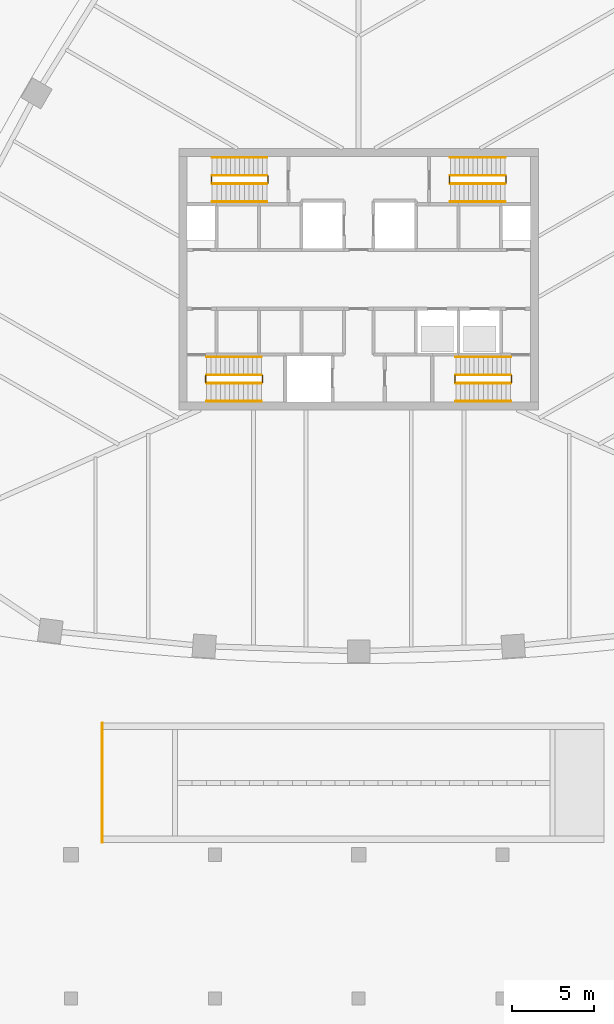
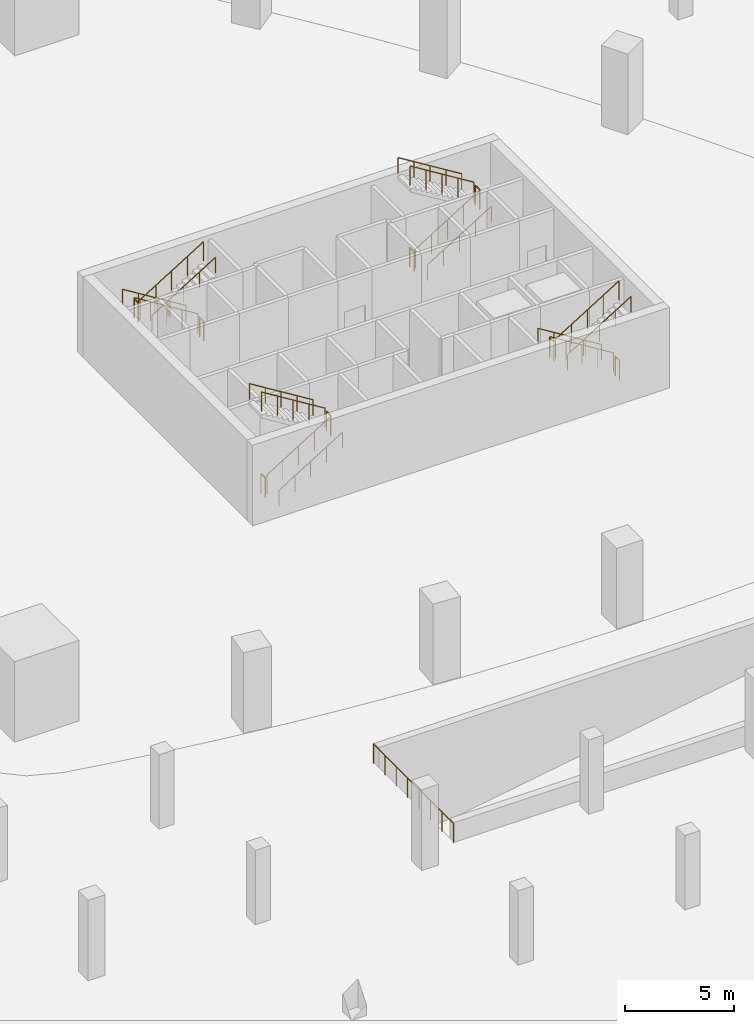
# One storey, part 9 of 10: 25 railings.
"""IFC4 building model written with IfcOpenShell, lengths in metres."""

import ifcopenshell
import ifcopenshell.guid

model = None  # the IFC model being written
_history = None  # IfcOwnerHistory: only IFC2X3 demands one
_inside = {}  # id of a spatial element -> (the spatial element, [elements in it])
_under = {}  # id of a project, library or spatial element -> (it, [spatial elements below it])
_declared = {}  # id of a project -> (the project, [libraries it declares])
_typed = {}  # id of a type object -> (the type object, [elements of that type])
_made_of = {}  # id of a material, layer set ... -> (it, [elements and type objects made of it])


def new_model(schema):
    """Start an empty IFC model of exactly this schema.

    Asked for "IFC4X3", IfcOpenShell would pick the latest addendum, in which some entities
    have other attributes; the version numbers below select the first issue.
    IFC2X3 requires an IfcOwnerHistory on every rooted entity: one is made here for all.
    """
    global model, _history
    if schema == "IFC4X3":
        model = ifcopenshell.file(schema_version=(4, 3, 0, 0))
    else:
        model = ifcopenshell.file(schema=schema)
    _inside.clear()
    _under.clear()
    _declared.clear()
    _typed.clear()
    _made_of.clear()
    _history = None
    if model.schema == "IFC2X3":
        org = make("IfcOrganization", Name="unknown")
        user = make(
            "IfcPersonAndOrganization",
            ThePerson=make("IfcPerson", FamilyName="unknown"),
            TheOrganization=org,
        )
        app = make(
            "IfcApplication",
            ApplicationDeveloper=org,
            Version="unknown",
            ApplicationFullName="unknown",
            ApplicationIdentifier="unknown",
        )
        _history = make(
            "IfcOwnerHistory",
            OwningUser=user,
            OwningApplication=app,
            ChangeAction="ADDED",
            CreationDate=0,
        )
    return model


def make(cls, **values):
    """One entity of the class cls with the attributes given. An attribute that is None is left unset."""
    return model.create_entity(
        cls, **{name: value for name, value in values.items() if value is not None}
    )


def rooted(cls, **values):
    """An entity with a GlobalId (a new one), such as an element, a storey or a relation."""
    return make(cls, GlobalId=ifcopenshell.guid.new(), OwnerHistory=_history, **values)


def si_unit(unit_type, name, prefix=None):
    """IfcSIUnit, for example si_unit("LENGTHUNIT", "METRE", prefix="MILLI")."""
    return make("IfcSIUnit", UnitType=unit_type, Prefix=prefix, Name=name)


def assignment(units):
    """IfcUnitAssignment: the units of a project."""
    return None if units is None else make("IfcUnitAssignment", Units=units)


def point(xyz):
    """IfcCartesianPoint."""
    return None if xyz is None else make("IfcCartesianPoint", Coordinates=xyz)


def direction(xyz):
    """IfcDirection."""
    return None if xyz is None else make("IfcDirection", DirectionRatios=xyz)


def frame(location, z_axis=None, x_axis=None):
    """IfcAxis2Placement3D, a coordinate frame: its origin and axes. An axis left out is left unset."""
    return make(
        "IfcAxis2Placement3D",
        Location=point(location),
        Axis=direction(z_axis),
        RefDirection=direction(x_axis),
    )


def frame_2d(location, x_axis=None):
    """IfcAxis2Placement2D, a coordinate frame in the plane: its origin and x axis."""
    return make(
        "IfcAxis2Placement2D", Location=point(location), RefDirection=direction(x_axis)
    )


def origin():
    """The frame at (0, 0, 0) with its axes left unset."""
    return frame((0.0, 0.0, 0.0))


def origin_2d():
    """The frame at (0, 0) in the plane with its x axis left unset."""
    return frame_2d((0.0, 0.0))


def place(relative_to, where):
    """IfcLocalPlacement: puts the frame where relative to a parent placement (None: the world)."""
    return make(
        "IfcLocalPlacement", PlacementRelTo=relative_to, RelativePlacement=where
    )


def context(
    kind, dimensions, precision=None, world=None, true_north=None, identifier=None
):
    """IfcGeometricRepresentationContext, for example the 3D "Model" context."""
    return make(
        "IfcGeometricRepresentationContext",
        ContextIdentifier=identifier,
        ContextType=kind,
        CoordinateSpaceDimension=dimensions,
        Precision=precision,
        WorldCoordinateSystem=world,
        TrueNorth=true_north,
    )


def subcontext(parent, identifier, kind, view, scale=None):
    """IfcGeometricRepresentationSubContext, for example "Body" below "Model"."""
    return make(
        "IfcGeometricRepresentationSubContext",
        ContextIdentifier=identifier,
        ContextType=kind,
        ParentContext=parent,
        TargetScale=scale,
        TargetView=view,
    )


def project(units=None, contexts=None):
    """IfcProject with its units and contexts."""
    return rooted(
        "IfcProject",
        Name="project",
        RepresentationContexts=contexts,
        UnitsInContext=assignment(units),
    )


def spatial(cls, under=None, at=None, **own):
    """A site, building, storey or space (cls), placed at a placement, below another one or the project."""
    s = rooted(cls, ObjectPlacement=at, **own)
    if under is not None:
        _under.setdefault(under.id(), (under, []))[1].append(s)
    return s


def profile(cls, at=None, kind="AREA", **sizes):
    """A parametric profile (cls). Its sizes go by their IFC names, for example OverallWidth=200.0."""
    return make(cls, ProfileType=kind, Position=at, **sizes)


def circle(**sizes):
    """IfcCircleProfileDef."""
    return profile("IfcCircleProfileDef", **sizes)


def extrude(swept, where, along, depth):
    """IfcExtrudedAreaSolid: the profile swept, set in the frame where, extruded along a direction by depth."""
    return make(
        "IfcExtrudedAreaSolid",
        SweptArea=swept,
        Position=where,
        ExtrudedDirection=direction(along),
        Depth=depth,
    )


def shape(context_of_items, identifier, shape_type, items):
    """IfcShapeRepresentation: the items that make up one representation, for example the "Body"."""
    return make(
        "IfcShapeRepresentation",
        ContextOfItems=context_of_items,
        RepresentationIdentifier=identifier,
        RepresentationType=shape_type,
        Items=items,
    )


def material(Name=None, Category=None):
    """IfcMaterial."""
    return make("IfcMaterial", Name=Name, Category=Category)


def made_of(thing, what):
    """Note that an element or type object is made of a material, layer set ...; save() writes the relation."""
    if what is not None:
        _made_of.setdefault(what.id(), (what, []))[1].append(thing)
    return thing


def type_object(cls, material=None, **own):
    """A type object (cls), such as IfcWallType, which elements share."""
    return made_of(rooted(cls, **own), material)


def element(
    cls,
    number,
    at=None,
    inside=None,
    cuts=None,
    type_object=None,
    material=None,
    context=None,
    identifier="Body",
    shape_type=None,
    held_by="IfcProductDefinitionShape",
    body=None,
    shapes=None,
    **own,
):
    """One element of the class cls, such as IfcWall. Its Tag is "e" and its number.

    at: its placement. inside: the storey or other place that contains it. cuts: it is an
    opening in that element (IfcRelVoidsElement). A single representation is given by context,
    identifier, shape_type and body (its items); several are given by shapes. held_by: the class
    of the entity that holds the representations. save() writes the other relations.
    """
    e = rooted(cls, Tag="e%d" % number, ObjectPlacement=at, **own)
    if body is not None:
        shapes = [shape(context, identifier, shape_type, body)]
    if shapes is not None:
        e.Representation = make(held_by, Representations=shapes)
    if inside is not None:
        _inside.setdefault(inside.id(), (inside, []))[1].append(e)
    if cuts is not None:
        rooted(
            "IfcRelVoidsElement", RelatingBuildingElement=cuts, RelatedOpeningElement=e
        )
    if type_object is not None:
        _typed.setdefault(type_object.id(), (type_object, []))[1].append(e)
    return made_of(e, material)


def aggregate(whole, parts):
    """IfcRelAggregates: a whole, such as a stair, and the parts it consists of."""
    return rooted("IfcRelAggregates", RelatingObject=whole, RelatedObjects=parts)


def save(model, path):
    """Write the relations noted so far, then the file.

    IfcRelAggregates (storeys below a building ...), IfcRelContainedInSpatialStructure (elements
    in a storey), IfcRelDefinesByType, IfcRelAssociatesMaterial and IfcRelDeclares: one each for
    every whole, place, type object, material and project.
    """
    for whole, parts in _under.values():
        aggregate(whole, parts)
    for where, things in _inside.values():
        rooted(
            "IfcRelContainedInSpatialStructure",
            RelatedElements=things,
            RelatingStructure=where,
        )
    for kind, things in _typed.values():
        rooted("IfcRelDefinesByType", RelatedObjects=things, RelatingType=kind)
    for what, things in _made_of.values():
        rooted("IfcRelAssociatesMaterial", RelatedObjects=things, RelatingMaterial=what)
    for by, libraries in _declared.values():
        rooted("IfcRelDeclares", RelatingContext=by, RelatedDefinitions=libraries)
    model.write(path)


model = new_model("IFC4")

# Units and contexts
model_context = context("Model", 3, precision=1e-05, world=origin(), true_north=direction((0.0, 1.0)))
body_context = subcontext(model_context, "Body", "Model", "MODEL_VIEW")
ifc_project = project(units=[si_unit("LENGTHUNIT", "METRE"), si_unit("AREAUNIT", "SQUARE_METRE"), si_unit("VOLUMEUNIT", "CUBIC_METRE"), si_unit("PLANEANGLEUNIT", "RADIAN"), si_unit("MASSUNIT", "GRAM", prefix="KILO")], contexts=[model_context])

# Site, building, storey
site_placement = place(None, origin())
site = spatial("IfcSite", under=ifc_project, at=site_placement, CompositionType="ELEMENT")
building_placement = place(site_placement, origin())
building = spatial("IfcBuilding", under=site, at=building_placement, Name="Sierra Prisma Convention Tower", CompositionType="ELEMENT")
storey_placement = place(building_placement, frame((0.0, 0.0, -4.5)))
storey = spatial("IfcBuildingStorey", under=building, at=storey_placement, Name="B1", CompositionType="ELEMENT", Elevation=-4.5)

# Railings
ifc_material_1 = material(Name="Stainless steel", Category="steel")
railing_type_1 = type_object("IfcRailingType", Name="Exit stair handrail", PredefinedType="HANDRAIL", material=ifc_material_1)
railing_1_placement = place(storey_placement, frame((-9.300048828125, -7.449951171875, 0.173095703125)))
element("IfcRailing", 1, at=railing_1_placement, inside=storey, type_object=railing_type_1, Name="B1 S1 stair handrail 1", PredefinedType="HANDRAIL", context=body_context, shape_type="SweptSolid", body=[
    extrude(circle(Radius=0.02392578125, at=origin_2d()), frame((0.0, 0.0, 0.8759765625), z_axis=(0.850623216509, 0.0, 0.525775754039), x_axis=(0.0, 1.0, 0.0)), (0.0, 0.0, 1.0), 3.9501953125),
    extrude(circle(Radius=0.02099609375, at=origin_2d()), origin(), (0.0, 0.0, 1.0), 0.851806640625),
    extrude(circle(Radius=0.02099609375, at=origin_2d()), frame((0.840087890625, 0.0, 0.519287109375)), (0.0, 0.0, 1.0), 0.851806640625),
    extrude(circle(Radius=0.02099609375, at=origin_2d()), frame((1.68017578125, 0.0, 1.03857421875)), (0.0, 0.0, 1.0), 0.851806640625),
    extrude(circle(Radius=0.02099609375, at=origin_2d()), frame((2.52001953125, 0.0, 1.5576171875)), (0.0, 0.0, 1.0), 0.851806640625),
    extrude(circle(Radius=0.02099609375, at=origin_2d()), frame((3.360107421875, 0.0, 2.076904296875)), (0.0, 0.0, 1.0), 0.851806640625),
])
for number, where, name in (
    (2, (-5.93994140625, -4.75, 2.423095703125), "B1 S1 stair handrail 2"),
    (3, (9.300048828125, -4.75, 0.173095703125), "B1 S2 stair handrail 1"),
):
    element("IfcRailing", number, at=place(storey_placement, frame(where)), inside=storey, type_object=railing_type_1, Name=name, PredefinedType="HANDRAIL", context=body_context, shape_type="SweptSolid", body=[
        extrude(circle(Radius=0.02392578125, at=origin_2d()), frame((0.0, 0.0, 0.8759765625), z_axis=(-0.850623216509, 0.0, 0.525775754039), x_axis=(0.0, -1.0, 0.0)), (0.0, 0.0, 1.0), 3.9501953125),
        extrude(circle(Radius=0.02099609375, at=origin_2d()), origin(), (0.0, 0.0, 1.0), 0.851806640625),
        extrude(circle(Radius=0.02099609375, at=origin_2d()), frame((-0.840087890625, 0.0, 0.519287109375)), (0.0, 0.0, 1.0), 0.851806640625),
        extrude(circle(Radius=0.02099609375, at=origin_2d()), frame((-1.68017578125, 0.0, 1.03857421875)), (0.0, 0.0, 1.0), 0.851806640625),
        extrude(circle(Radius=0.02099609375, at=origin_2d()), frame((-2.52001953125, 0.0, 1.5576171875)), (0.0, 0.0, 1.0), 0.851806640625),
        extrude(circle(Radius=0.02099609375, at=origin_2d()), frame((-3.360107421875, 0.0, 2.076904296875)), (0.0, 0.0, 1.0), 0.851806640625),
    ])
railing_2_placement = place(storey_placement, frame((5.93994140625, -7.449951171875, 2.423095703125)))
element("IfcRailing", 4, at=railing_2_placement, inside=storey, type_object=railing_type_1, Name="B1 S2 stair handrail 2", PredefinedType="HANDRAIL", context=body_context, shape_type="SweptSolid", body=[
    extrude(circle(Radius=0.02392578125, at=origin_2d()), frame((0.0, 0.0, 0.8759765625), z_axis=(0.850623216509, 0.0, 0.525775754039), x_axis=(0.0, 1.0, 0.0)), (0.0, 0.0, 1.0), 3.9501953125),
    extrude(circle(Radius=0.02099609375, at=origin_2d()), origin(), (0.0, 0.0, 1.0), 0.851806640625),
    extrude(circle(Radius=0.02099609375, at=origin_2d()), frame((0.840087890625, 0.0, 0.519287109375)), (0.0, 0.0, 1.0), 0.851806640625),
    extrude(circle(Radius=0.02099609375, at=origin_2d()), frame((1.68017578125, 0.0, 1.03857421875)), (0.0, 0.0, 1.0), 0.851806640625),
    extrude(circle(Radius=0.02099609375, at=origin_2d()), frame((2.52001953125, 0.0, 1.5576171875)), (0.0, 0.0, 1.0), 0.851806640625),
    extrude(circle(Radius=0.02099609375, at=origin_2d()), frame((3.360107421875, 0.0, 2.076904296875)), (0.0, 0.0, 1.0), 0.851806640625),
])
railing_3_placement = place(storey_placement, frame((-5.60009765625, 7.449951171875, 0.173095703125)))
element("IfcRailing", 5, at=railing_3_placement, inside=storey, type_object=railing_type_1, Name="B1 S3 stair handrail 1", PredefinedType="HANDRAIL", context=body_context, shape_type="SweptSolid", body=[
    extrude(circle(Radius=0.02392578125, at=origin_2d()), frame((0.0, 0.0, 0.8759765625), z_axis=(-0.850606129759, 0.0, 0.525803396734), x_axis=(0.0, -1.0, 0.0)), (0.0, 0.0, 1.0), 3.949951171875),
    extrude(circle(Radius=0.02099609375, at=origin_2d()), origin(), (0.0, 0.0, 1.0), 0.851806640625),
    extrude(circle(Radius=0.02099609375, at=origin_2d()), frame((-0.83984375, 0.0, 0.519287109375)), (0.0, 0.0, 1.0), 0.851806640625),
    extrude(circle(Radius=0.02099609375, at=origin_2d()), frame((-1.679931640625, 0.0, 1.03857421875)), (0.0, 0.0, 1.0), 0.851806640625),
    extrude(circle(Radius=0.02099609375, at=origin_2d()), frame((-2.52001953125, 0.0, 1.5576171875)), (0.0, 0.0, 1.0), 0.851806640625),
    extrude(circle(Radius=0.02099609375, at=origin_2d()), frame((-3.35986328125, 0.0, 2.076904296875)), (0.0, 0.0, 1.0), 0.851806640625),
])
for number, where, name in (
    (6, (-8.9599609375, 4.75, 2.423095703125), "B1 S3 stair handrail 2"),
    (7, (5.60009765625, 4.75, 0.173095703125), "B1 S4 stair handrail 1"),
):
    element("IfcRailing", number, at=place(storey_placement, frame(where)), inside=storey, type_object=railing_type_1, Name=name, PredefinedType="HANDRAIL", context=body_context, shape_type="SweptSolid", body=[
        extrude(circle(Radius=0.02392578125, at=origin_2d()), frame((0.0, 0.0, 0.8759765625), z_axis=(0.850606129759, 0.0, 0.525803396734), x_axis=(0.0, 1.0, 0.0)), (0.0, 0.0, 1.0), 3.949951171875),
        extrude(circle(Radius=0.02099609375, at=origin_2d()), origin(), (0.0, 0.0, 1.0), 0.851806640625),
        extrude(circle(Radius=0.02099609375, at=origin_2d()), frame((0.83984375, 0.0, 0.519287109375)), (0.0, 0.0, 1.0), 0.851806640625),
        extrude(circle(Radius=0.02099609375, at=origin_2d()), frame((1.679931640625, 0.0, 1.03857421875)), (0.0, 0.0, 1.0), 0.851806640625),
        extrude(circle(Radius=0.02099609375, at=origin_2d()), frame((2.52001953125, 0.0, 1.5576171875)), (0.0, 0.0, 1.0), 0.851806640625),
        extrude(circle(Radius=0.02099609375, at=origin_2d()), frame((3.35986328125, 0.0, 2.076904296875)), (0.0, 0.0, 1.0), 0.851806640625),
    ])
railing_4_placement = place(storey_placement, frame((8.9599609375, 7.449951171875, 2.423095703125)))
element("IfcRailing", 8, at=railing_4_placement, inside=storey, type_object=railing_type_1, Name="B1 S4 stair handrail 2", PredefinedType="HANDRAIL", context=body_context, shape_type="SweptSolid", body=[
    extrude(circle(Radius=0.02392578125, at=origin_2d()), frame((0.0, 0.0, 0.8759765625), z_axis=(-0.850606129759, 0.0, 0.525803396734), x_axis=(0.0, -1.0, 0.0)), (0.0, 0.0, 1.0), 3.949951171875),
    extrude(circle(Radius=0.02099609375, at=origin_2d()), origin(), (0.0, 0.0, 1.0), 0.851806640625),
    extrude(circle(Radius=0.02099609375, at=origin_2d()), frame((-0.83984375, 0.0, 0.519287109375)), (0.0, 0.0, 1.0), 0.851806640625),
    extrude(circle(Radius=0.02099609375, at=origin_2d()), frame((-1.679931640625, 0.0, 1.03857421875)), (0.0, 0.0, 1.0), 0.851806640625),
    extrude(circle(Radius=0.02099609375, at=origin_2d()), frame((-2.52001953125, 0.0, 1.5576171875)), (0.0, 0.0, 1.0), 0.851806640625),
    extrude(circle(Radius=0.02099609375, at=origin_2d()), frame((-3.35986328125, 0.0, 2.076904296875)), (0.0, 0.0, 1.0), 0.851806640625),
])
ifc_material_2 = material(Name="Powder-coated steel", Category="steel")
railing_type_2 = type_object("IfcRailingType", Name="Ramp hole guard 1100", PredefinedType="GUARDRAIL", material=ifc_material_2)
railing_5_placement = place(storey_placement, frame((-15.678955078125, -34.449951171875, 0.0)))
element("IfcRailing", 9, at=railing_5_placement, inside=storey, type_object=railing_type_2, Name="Car park ramp R3 hole guard", PredefinedType="GUARDRAIL", context=body_context, shape_type="SweptSolid", body=[
    extrude(circle(Radius=0.02392578125, at=origin_2d()), frame((0.0, 0.0, 1.076171875), z_axis=(0.0, 1.0, 0.0), x_axis=(-1.0, 0.0, 0.0)), (0.0, 0.0, 1.0), 7.300048828125),
    extrude(circle(Radius=0.02099609375, at=origin_2d()), origin(), (0.0, 0.0, 1.0), 1.052001953125),
    extrude(circle(Radius=0.02099609375, at=origin_2d()), frame((0.0, 1.04296875, 0.0)), (0.0, 0.0, 1.0), 1.052001953125),
    extrude(circle(Radius=0.02099609375, at=origin_2d()), frame((0.0, 2.085693359375, 0.0)), (0.0, 0.0, 1.0), 1.052001953125),
    extrude(circle(Radius=0.02099609375, at=origin_2d()), frame((0.0, 3.128662109375, 0.0)), (0.0, 0.0, 1.0), 1.052001953125),
    extrude(circle(Radius=0.02099609375, at=origin_2d()), frame((0.0, 4.17138671875, 0.0)), (0.0, 0.0, 1.0), 1.052001953125),
    extrude(circle(Radius=0.02099609375, at=origin_2d()), frame((0.0, 5.21435546875, 0.0)), (0.0, 0.0, 1.0), 1.052001953125),
    extrude(circle(Radius=0.02099609375, at=origin_2d()), frame((0.0, 6.257080078125, 0.0)), (0.0, 0.0, 1.0), 1.052001953125),
    extrude(circle(Radius=0.02099609375, at=origin_2d()), frame((0.0, 7.300048828125, 0.0)), (0.0, 0.0, 1.0), 1.052001953125),
])
ifc_material_3 = material(Name="Stainless steel", Category="steel")
railing_type_3 = type_object("IfcRailingType", Name="Stair guard 1100", PredefinedType="GUARDRAIL", material=ifc_material_3)
railing_6_placement = place(storey_placement, frame((-9.300048828125, -6.35009765625, 0.173095703125)))
element("IfcRailing", 10, at=railing_6_placement, inside=storey, type_object=railing_type_3, Name="B1 S1 stair guard 1", PredefinedType="GUARDRAIL", context=body_context, shape_type="SweptSolid", body=[
    extrude(circle(Radius=0.02392578125, at=origin_2d()), frame((0.0, 0.0, 1.076171875), z_axis=(0.850623216509, 0.0, 0.525775754039), x_axis=(0.0, 1.0, 0.0)), (0.0, 0.0, 1.0), 3.9501953125),
    extrude(circle(Radius=0.02099609375, at=origin_2d()), origin(), (0.0, 0.0, 1.0), 1.052001953125),
    extrude(circle(Radius=0.02099609375, at=origin_2d()), frame((0.840087890625, 0.0, 0.519287109375)), (0.0, 0.0, 1.0), 1.052001953125),
    extrude(circle(Radius=0.02099609375, at=origin_2d()), frame((1.68017578125, 0.0, 1.03857421875)), (0.0, 0.0, 1.0), 1.052001953125),
    extrude(circle(Radius=0.02099609375, at=origin_2d()), frame((2.52001953125, 0.0, 1.5576171875)), (0.0, 0.0, 1.0), 1.052001953125),
    extrude(circle(Radius=0.02099609375, at=origin_2d()), frame((3.360107421875, 0.0, 2.076904296875)), (0.0, 0.0, 1.0), 1.052001953125),
])
railing_7_placement = place(storey_placement, frame((-5.889892578125, -6.300048828125, 2.25)))
element("IfcRailing", 11, at=railing_7_placement, inside=storey, type_object=railing_type_3, Name="B1 S1 stair guard 2", PredefinedType="GUARDRAIL", context=body_context, shape_type="SweptSolid", body=[
    extrude(circle(Radius=0.02392578125, at=origin_2d()), frame((0.0, 0.0, 1.076171875), z_axis=(0.0, 1.0, 0.0), x_axis=(-1.0, 0.0, 0.0)), (0.0, 0.0, 1.0), 0.400146484375),
    extrude(circle(Radius=0.02099609375, at=origin_2d()), origin(), (0.0, 0.0, 1.0), 1.052001953125),
    extrude(circle(Radius=0.02099609375, at=origin_2d()), frame((0.0, 0.400146484375, 0.0)), (0.0, 0.0, 1.0), 1.052001953125),
])
railing_8_placement = place(storey_placement, frame((-5.93994140625, -5.85009765625, 2.423095703125)))
element("IfcRailing", 12, at=railing_8_placement, inside=storey, type_object=railing_type_3, Name="B1 S1 stair guard 3", PredefinedType="GUARDRAIL", context=body_context, shape_type="SweptSolid", body=[
    extrude(circle(Radius=0.02392578125, at=origin_2d()), frame((0.0, 0.0, 1.076171875), z_axis=(-0.850623216509, 0.0, 0.525775754039), x_axis=(0.0, -1.0, 0.0)), (0.0, 0.0, 1.0), 3.9501953125),
    extrude(circle(Radius=0.02099609375, at=origin_2d()), origin(), (0.0, 0.0, 1.0), 1.052001953125),
    extrude(circle(Radius=0.02099609375, at=origin_2d()), frame((-0.840087890625, 0.0, 0.519287109375)), (0.0, 0.0, 1.0), 1.052001953125),
    extrude(circle(Radius=0.02099609375, at=origin_2d()), frame((-1.68017578125, 0.0, 1.03857421875)), (0.0, 0.0, 1.0), 1.052001953125),
    extrude(circle(Radius=0.02099609375, at=origin_2d()), frame((-2.52001953125, 0.0, 1.5576171875)), (0.0, 0.0, 1.0), 1.052001953125),
    extrude(circle(Radius=0.02099609375, at=origin_2d()), frame((-3.360107421875, 0.0, 2.076904296875)), (0.0, 0.0, 1.0), 1.052001953125),
])
railing_9_placement = place(storey_placement, frame((-9.35009765625, -6.300048828125, 0.0)))
element("IfcRailing", 13, at=railing_9_placement, inside=storey, type_object=railing_type_3, Name="B1 S1 stair guard 4", PredefinedType="GUARDRAIL", context=body_context, shape_type="SweptSolid", body=[
    extrude(circle(Radius=0.02392578125, at=origin_2d()), frame((0.0, 0.0, 1.076171875), z_axis=(0.0, 1.0, 0.0), x_axis=(-1.0, 0.0, 0.0)), (0.0, 0.0, 1.0), 0.400146484375),
    extrude(circle(Radius=0.02099609375, at=origin_2d()), origin(), (0.0, 0.0, 1.0), 1.052001953125),
    extrude(circle(Radius=0.02099609375, at=origin_2d()), frame((0.0, 0.400146484375, 0.0)), (0.0, 0.0, 1.0), 1.052001953125),
])
railing_10_placement = place(storey_placement, frame((9.300048828125, -5.85009765625, 0.173095703125)))
element("IfcRailing", 14, at=railing_10_placement, inside=storey, type_object=railing_type_3, Name="B1 S2 stair guard 1", PredefinedType="GUARDRAIL", context=body_context, shape_type="SweptSolid", body=[
    extrude(circle(Radius=0.02392578125, at=origin_2d()), frame((0.0, 0.0, 1.076171875), z_axis=(-0.850623216509, 0.0, 0.525775754039), x_axis=(0.0, -1.0, 0.0)), (0.0, 0.0, 1.0), 3.9501953125),
    extrude(circle(Radius=0.02099609375, at=origin_2d()), origin(), (0.0, 0.0, 1.0), 1.052001953125),
    extrude(circle(Radius=0.02099609375, at=origin_2d()), frame((-0.840087890625, 0.0, 0.519287109375)), (0.0, 0.0, 1.0), 1.052001953125),
    extrude(circle(Radius=0.02099609375, at=origin_2d()), frame((-1.68017578125, 0.0, 1.03857421875)), (0.0, 0.0, 1.0), 1.052001953125),
    extrude(circle(Radius=0.02099609375, at=origin_2d()), frame((-2.52001953125, 0.0, 1.5576171875)), (0.0, 0.0, 1.0), 1.052001953125),
    extrude(circle(Radius=0.02099609375, at=origin_2d()), frame((-3.360107421875, 0.0, 2.076904296875)), (0.0, 0.0, 1.0), 1.052001953125),
])
railing_11_placement = place(storey_placement, frame((5.889892578125, -5.89990234375, 2.25)))
element("IfcRailing", 15, at=railing_11_placement, inside=storey, type_object=railing_type_3, Name="B1 S2 stair guard 2", PredefinedType="GUARDRAIL", context=body_context, shape_type="SweptSolid", body=[
    extrude(circle(Radius=0.02392578125, at=origin_2d()), frame((0.0, 0.0, 1.076171875), z_axis=(0.0, -1.0, 0.0), x_axis=(1.0, 0.0, 0.0)), (0.0, 0.0, 1.0), 0.400146484375),
    extrude(circle(Radius=0.02099609375, at=origin_2d()), origin(), (0.0, 0.0, 1.0), 1.052001953125),
    extrude(circle(Radius=0.02099609375, at=origin_2d()), frame((0.0, -0.400146484375, 0.0)), (0.0, 0.0, 1.0), 1.052001953125),
])
railing_12_placement = place(storey_placement, frame((5.93994140625, -6.35009765625, 2.423095703125)))
element("IfcRailing", 16, at=railing_12_placement, inside=storey, type_object=railing_type_3, Name="B1 S2 stair guard 3", PredefinedType="GUARDRAIL", context=body_context, shape_type="SweptSolid", body=[
    extrude(circle(Radius=0.02392578125, at=origin_2d()), frame((0.0, 0.0, 1.076171875), z_axis=(0.850623216509, 0.0, 0.525775754039), x_axis=(0.0, 1.0, 0.0)), (0.0, 0.0, 1.0), 3.9501953125),
    extrude(circle(Radius=0.02099609375, at=origin_2d()), origin(), (0.0, 0.0, 1.0), 1.052001953125),
    extrude(circle(Radius=0.02099609375, at=origin_2d()), frame((0.840087890625, 0.0, 0.519287109375)), (0.0, 0.0, 1.0), 1.052001953125),
    extrude(circle(Radius=0.02099609375, at=origin_2d()), frame((1.68017578125, 0.0, 1.03857421875)), (0.0, 0.0, 1.0), 1.052001953125),
    extrude(circle(Radius=0.02099609375, at=origin_2d()), frame((2.52001953125, 0.0, 1.5576171875)), (0.0, 0.0, 1.0), 1.052001953125),
    extrude(circle(Radius=0.02099609375, at=origin_2d()), frame((3.360107421875, 0.0, 2.076904296875)), (0.0, 0.0, 1.0), 1.052001953125),
])
railing_13_placement = place(storey_placement, frame((9.35009765625, -5.89990234375, 0.0)))
element("IfcRailing", 17, at=railing_13_placement, inside=storey, type_object=railing_type_3, Name="B1 S2 stair guard 4", PredefinedType="GUARDRAIL", context=body_context, shape_type="SweptSolid", body=[
    extrude(circle(Radius=0.02392578125, at=origin_2d()), frame((0.0, 0.0, 1.076171875), z_axis=(0.0, -1.0, 0.0), x_axis=(1.0, 0.0, 0.0)), (0.0, 0.0, 1.0), 0.400146484375),
    extrude(circle(Radius=0.02099609375, at=origin_2d()), origin(), (0.0, 0.0, 1.0), 1.052001953125),
    extrude(circle(Radius=0.02099609375, at=origin_2d()), frame((0.0, -0.400146484375, 0.0)), (0.0, 0.0, 1.0), 1.052001953125),
])
railing_14_placement = place(storey_placement, frame((-5.60009765625, 6.35009765625, 0.173095703125)))
element("IfcRailing", 18, at=railing_14_placement, inside=storey, type_object=railing_type_3, Name="B1 S3 stair guard 1", PredefinedType="GUARDRAIL", context=body_context, shape_type="SweptSolid", body=[
    extrude(circle(Radius=0.02392578125, at=origin_2d()), frame((0.0, 0.0, 1.076171875), z_axis=(-0.850606129759, 0.0, 0.525803396734), x_axis=(0.0, -1.0, 0.0)), (0.0, 0.0, 1.0), 3.949951171875),
    extrude(circle(Radius=0.02099609375, at=origin_2d()), origin(), (0.0, 0.0, 1.0), 1.052001953125),
    extrude(circle(Radius=0.02099609375, at=origin_2d()), frame((-0.83984375, 0.0, 0.519287109375)), (0.0, 0.0, 1.0), 1.052001953125),
    extrude(circle(Radius=0.02099609375, at=origin_2d()), frame((-1.679931640625, 0.0, 1.03857421875)), (0.0, 0.0, 1.0), 1.052001953125),
    extrude(circle(Radius=0.02099609375, at=origin_2d()), frame((-2.52001953125, 0.0, 1.5576171875)), (0.0, 0.0, 1.0), 1.052001953125),
    extrude(circle(Radius=0.02099609375, at=origin_2d()), frame((-3.35986328125, 0.0, 2.076904296875)), (0.0, 0.0, 1.0), 1.052001953125),
])
railing_15_placement = place(storey_placement, frame((-9.010009765625, 6.300048828125, 2.25)))
element("IfcRailing", 19, at=railing_15_placement, inside=storey, type_object=railing_type_3, Name="B1 S3 stair guard 2", PredefinedType="GUARDRAIL", context=body_context, shape_type="SweptSolid", body=[
    extrude(circle(Radius=0.02392578125, at=origin_2d()), frame((0.0, 0.0, 1.076171875), z_axis=(0.0, -1.0, 0.0), x_axis=(1.0, 0.0, 0.0)), (0.0, 0.0, 1.0), 0.400146484375),
    extrude(circle(Radius=0.02099609375, at=origin_2d()), origin(), (0.0, 0.0, 1.0), 1.052001953125),
    extrude(circle(Radius=0.02099609375, at=origin_2d()), frame((0.0, -0.400146484375, 0.0)), (0.0, 0.0, 1.0), 1.052001953125),
])
railing_16_placement = place(storey_placement, frame((-8.9599609375, 5.85009765625, 2.423095703125)))
element("IfcRailing", 20, at=railing_16_placement, inside=storey, type_object=railing_type_3, Name="B1 S3 stair guard 3", PredefinedType="GUARDRAIL", context=body_context, shape_type="SweptSolid", body=[
    extrude(circle(Radius=0.02392578125, at=origin_2d()), frame((0.0, 0.0, 1.076171875), z_axis=(0.850606129759, 0.0, 0.525803396734), x_axis=(0.0, 1.0, 0.0)), (0.0, 0.0, 1.0), 3.949951171875),
    extrude(circle(Radius=0.02099609375, at=origin_2d()), origin(), (0.0, 0.0, 1.0), 1.052001953125),
    extrude(circle(Radius=0.02099609375, at=origin_2d()), frame((0.83984375, 0.0, 0.519287109375)), (0.0, 0.0, 1.0), 1.052001953125),
    extrude(circle(Radius=0.02099609375, at=origin_2d()), frame((1.679931640625, 0.0, 1.03857421875)), (0.0, 0.0, 1.0), 1.052001953125),
    extrude(circle(Radius=0.02099609375, at=origin_2d()), frame((2.52001953125, 0.0, 1.5576171875)), (0.0, 0.0, 1.0), 1.052001953125),
    extrude(circle(Radius=0.02099609375, at=origin_2d()), frame((3.35986328125, 0.0, 2.076904296875)), (0.0, 0.0, 1.0), 1.052001953125),
])
railing_17_placement = place(storey_placement, frame((-5.550048828125, 6.300048828125, 0.0)))
element("IfcRailing", 21, at=railing_17_placement, inside=storey, type_object=railing_type_3, Name="B1 S3 stair guard 4", PredefinedType="GUARDRAIL", context=body_context, shape_type="SweptSolid", body=[
    extrude(circle(Radius=0.02392578125, at=origin_2d()), frame((0.0, 0.0, 1.076171875), z_axis=(0.0, -1.0, 0.0), x_axis=(1.0, 0.0, 0.0)), (0.0, 0.0, 1.0), 0.400146484375),
    extrude(circle(Radius=0.02099609375, at=origin_2d()), origin(), (0.0, 0.0, 1.0), 1.052001953125),
    extrude(circle(Radius=0.02099609375, at=origin_2d()), frame((0.0, -0.400146484375, 0.0)), (0.0, 0.0, 1.0), 1.052001953125),
])
railing_18_placement = place(storey_placement, frame((5.60009765625, 5.85009765625, 0.173095703125)))
element("IfcRailing", 22, at=railing_18_placement, inside=storey, type_object=railing_type_3, Name="B1 S4 stair guard 1", PredefinedType="GUARDRAIL", context=body_context, shape_type="SweptSolid", body=[
    extrude(circle(Radius=0.02392578125, at=origin_2d()), frame((0.0, 0.0, 1.076171875), z_axis=(0.850606129759, 0.0, 0.525803396734), x_axis=(0.0, 1.0, 0.0)), (0.0, 0.0, 1.0), 3.949951171875),
    extrude(circle(Radius=0.02099609375, at=origin_2d()), origin(), (0.0, 0.0, 1.0), 1.052001953125),
    extrude(circle(Radius=0.02099609375, at=origin_2d()), frame((0.83984375, 0.0, 0.519287109375)), (0.0, 0.0, 1.0), 1.052001953125),
    extrude(circle(Radius=0.02099609375, at=origin_2d()), frame((1.679931640625, 0.0, 1.03857421875)), (0.0, 0.0, 1.0), 1.052001953125),
    extrude(circle(Radius=0.02099609375, at=origin_2d()), frame((2.52001953125, 0.0, 1.5576171875)), (0.0, 0.0, 1.0), 1.052001953125),
    extrude(circle(Radius=0.02099609375, at=origin_2d()), frame((3.35986328125, 0.0, 2.076904296875)), (0.0, 0.0, 1.0), 1.052001953125),
])
railing_19_placement = place(storey_placement, frame((9.010009765625, 5.89990234375, 2.25)))
element("IfcRailing", 23, at=railing_19_placement, inside=storey, type_object=railing_type_3, Name="B1 S4 stair guard 2", PredefinedType="GUARDRAIL", context=body_context, shape_type="SweptSolid", body=[
    extrude(circle(Radius=0.02392578125, at=origin_2d()), frame((0.0, 0.0, 1.076171875), z_axis=(0.0, 1.0, 0.0), x_axis=(-1.0, 0.0, 0.0)), (0.0, 0.0, 1.0), 0.400146484375),
    extrude(circle(Radius=0.02099609375, at=origin_2d()), origin(), (0.0, 0.0, 1.0), 1.052001953125),
    extrude(circle(Radius=0.02099609375, at=origin_2d()), frame((0.0, 0.400146484375, 0.0)), (0.0, 0.0, 1.0), 1.052001953125),
])
railing_20_placement = place(storey_placement, frame((8.9599609375, 6.35009765625, 2.423095703125)))
element("IfcRailing", 24, at=railing_20_placement, inside=storey, type_object=railing_type_3, Name="B1 S4 stair guard 3", PredefinedType="GUARDRAIL", context=body_context, shape_type="SweptSolid", body=[
    extrude(circle(Radius=0.02392578125, at=origin_2d()), frame((0.0, 0.0, 1.076171875), z_axis=(-0.850606129759, 0.0, 0.525803396734), x_axis=(0.0, -1.0, 0.0)), (0.0, 0.0, 1.0), 3.949951171875),
    extrude(circle(Radius=0.02099609375, at=origin_2d()), origin(), (0.0, 0.0, 1.0), 1.052001953125),
    extrude(circle(Radius=0.02099609375, at=origin_2d()), frame((-0.83984375, 0.0, 0.519287109375)), (0.0, 0.0, 1.0), 1.052001953125),
    extrude(circle(Radius=0.02099609375, at=origin_2d()), frame((-1.679931640625, 0.0, 1.03857421875)), (0.0, 0.0, 1.0), 1.052001953125),
    extrude(circle(Radius=0.02099609375, at=origin_2d()), frame((-2.52001953125, 0.0, 1.5576171875)), (0.0, 0.0, 1.0), 1.052001953125),
    extrude(circle(Radius=0.02099609375, at=origin_2d()), frame((-3.35986328125, 0.0, 2.076904296875)), (0.0, 0.0, 1.0), 1.052001953125),
])
railing_21_placement = place(storey_placement, frame((5.550048828125, 5.89990234375, 0.0)))
element("IfcRailing", 25, at=railing_21_placement, inside=storey, type_object=railing_type_3, Name="B1 S4 stair guard 4", PredefinedType="GUARDRAIL", context=body_context, shape_type="SweptSolid", body=[
    extrude(circle(Radius=0.02392578125, at=origin_2d()), frame((0.0, 0.0, 1.076171875), z_axis=(0.0, 1.0, 0.0), x_axis=(-1.0, 0.0, 0.0)), (0.0, 0.0, 1.0), 0.400146484375),
    extrude(circle(Radius=0.02099609375, at=origin_2d()), origin(), (0.0, 0.0, 1.0), 1.052001953125),
    extrude(circle(Radius=0.02099609375, at=origin_2d()), frame((0.0, 0.400146484375, 0.0)), (0.0, 0.0, 1.0), 1.052001953125),
])

save(model, "model.ifc")
